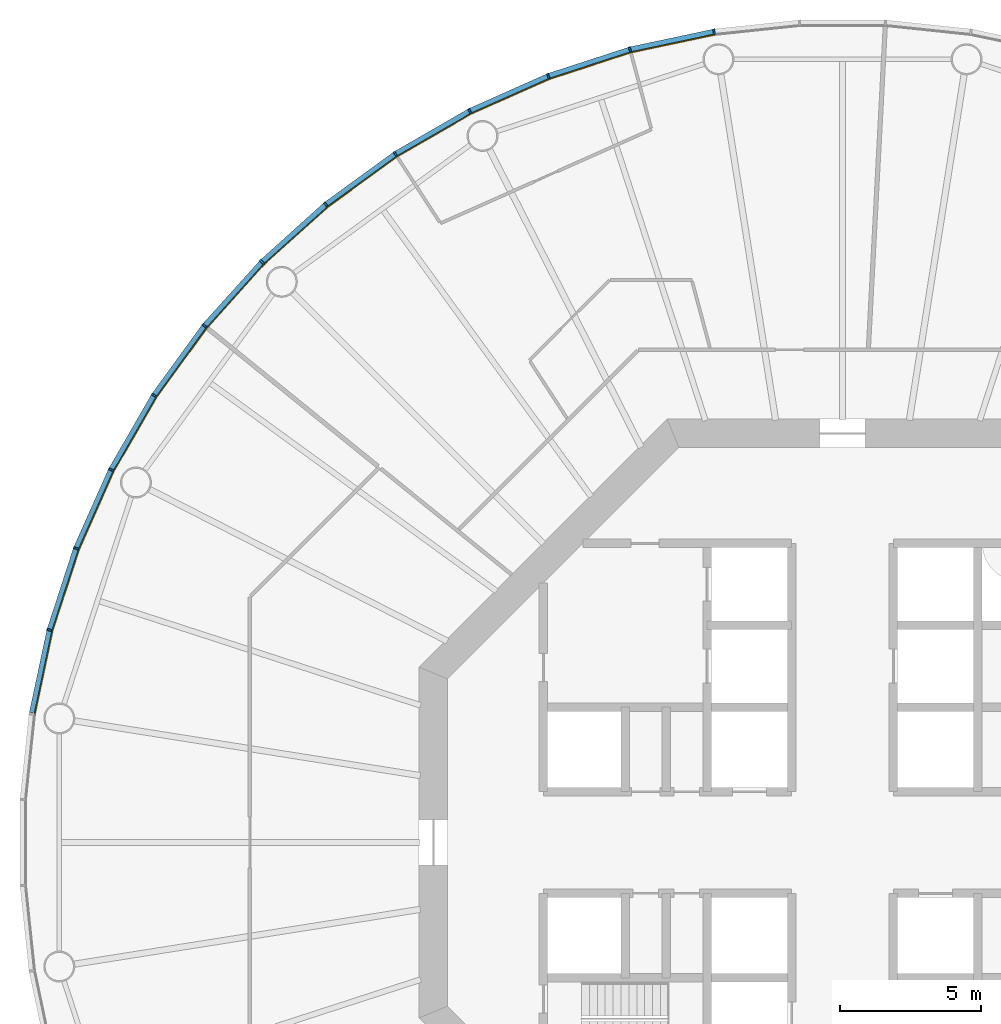
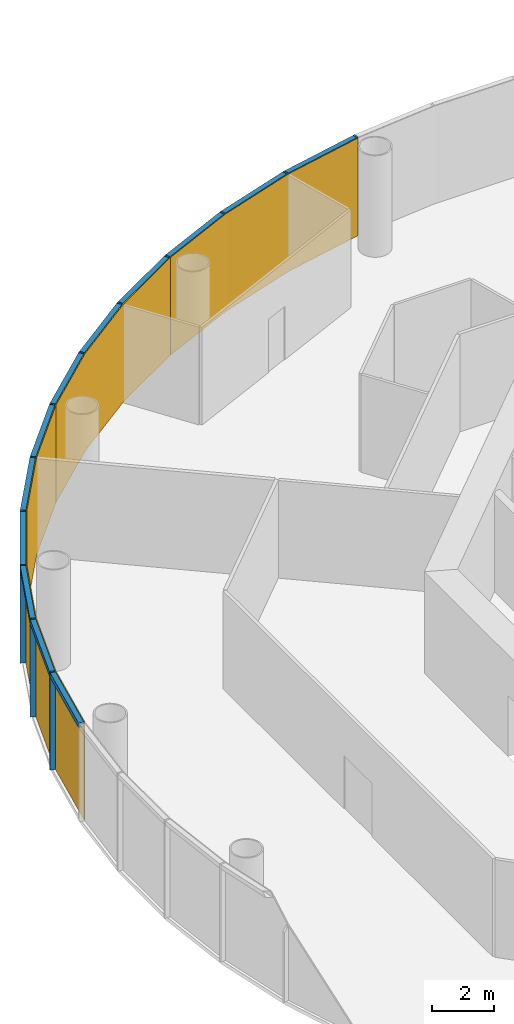
# One storey, part 10 of 13: 24 members, 4 curtain walls.
"""IFC4 building model written with IfcOpenShell, lengths in metres."""

from ifc_helpers import new_model, si_unit, direction, frame, origin, origin_2d, place, context, subcontext, project, spatial, polyline, rectangle, outline, extrude, material, layer, layer_set, material_profile, profile_set, type_object, element, aggregate, save


model = new_model("IFC4")

# Units and contexts
model_context = context("Model", 3, precision=1e-05, world=origin(), true_north=direction((0.0, 1.0)))
body_context = subcontext(model_context, "Body", "Model", "MODEL_VIEW")
ifc_project = project(units=[si_unit("LENGTHUNIT", "METRE"), si_unit("AREAUNIT", "SQUARE_METRE"), si_unit("VOLUMEUNIT", "CUBIC_METRE"), si_unit("PLANEANGLEUNIT", "RADIAN"), si_unit("MASSUNIT", "GRAM", prefix="KILO")], contexts=[model_context])

# Member
ifc_material_1 = material(Name="Anodised aluminium", Category="aluminium")
ifc_material_profile_1 = material_profile(ifc_material_1, rectangle(XDim=0.06494140625, YDim=0.18505859375, at=origin_2d()), Name="Mullion 65 x 185 mm anodised aluminium")
ifc_profile_set_1 = profile_set([ifc_material_profile_1], Name="Anodised aluminium")
member_type_1 = type_object("IfcMemberType", Name="Mullion 65 x 185 mm anodised aluminium", PredefinedType="MULLION", material=ifc_profile_set_1)
site_placement = place(None, origin())
building_placement = place(site_placement, origin())
storey_placement = place(building_placement, frame((0.0, 0.0, 156.0)))
member_1_placement = place(storey_placement, frame((85.448974609375, 108.734375, 0.0), z_axis=(0.0, 0.0, 1.0), x_axis=(-0.987688340595, -0.15643446504, 0.0)))
member_1 = element("IfcMember", 1, at=member_1_placement, type_object=member_type_1, Name="MULLION L35-15", PredefinedType="MULLION", context=body_context, shape_type="SweptSolid", body=[
    extrude(rectangle(XDim=0.06494140625, YDim=0.18505859375, at=origin_2d()), origin(), (0.0, 0.0, 1.0), 3.85009765625),
])

member_2_placement = place(storey_placement, frame((82.47021484375, 108.101318359375, 0.0), z_axis=(0.0, 0.0, 1.0), x_axis=(-0.965925826289, -0.258819045103, 0.0)))
member_2 = element("IfcMember", 2, at=member_2_placement, type_object=member_type_1, Name="MULLION L35-16", PredefinedType="MULLION", context=body_context, shape_type="SweptSolid", body=[
    extrude(rectangle(XDim=0.06494140625, YDim=0.18505859375, at=origin_2d()), origin(), (0.0, 0.0, 1.0), 3.85009765625),
])

member_3_placement = place(storey_placement, frame((79.57421875, 107.16015625, 0.0), z_axis=(0.0, 0.0, 1.0), x_axis=(-0.933580426497, -0.358367949545, 0.0)))
member_3 = element("IfcMember", 3, at=member_3_placement, type_object=member_type_1, Name="MULLION L35-17", PredefinedType="MULLION", context=body_context, shape_type="SweptSolid", body=[
    extrude(rectangle(XDim=0.06494140625, YDim=0.18505859375, at=origin_2d()), origin(), (0.0, 0.0, 1.0), 3.85009765625),
])

member_4_placement = place(storey_placement, frame((76.792236328125, 105.921630859375, 0.0), z_axis=(0.0, 0.0, 1.0), x_axis=(-0.891006524188, -0.45399049974, 0.0)))
member_4 = element("IfcMember", 4, at=member_4_placement, type_object=member_type_1, Name="MULLION L35-18", PredefinedType="MULLION", context=body_context, shape_type="SweptSolid", body=[
    extrude(rectangle(XDim=0.06494140625, YDim=0.18505859375, at=origin_2d()), origin(), (0.0, 0.0, 1.0), 3.85009765625),
])

member_5_placement = place(storey_placement, frame((74.155029296875, 104.39892578125, 0.0), z_axis=(0.0, 0.0, 1.0), x_axis=(-0.838670567945, -0.544639035015, 0.0)))
member_5 = element("IfcMember", 5, at=member_5_placement, type_object=member_type_1, Name="MULLION L35-19", PredefinedType="MULLION", context=body_context, shape_type="SweptSolid", body=[
    extrude(rectangle(XDim=0.06494140625, YDim=0.18505859375, at=origin_2d()), origin(), (0.0, 0.0, 1.0), 3.85009765625),
])

member_6_placement = place(storey_placement, frame((71.69140625, 102.609130859375, 0.0), z_axis=(0.0, 0.0, 1.0), x_axis=(-0.777145961457, -0.62932039105, 0.0)))
member_6 = element("IfcMember", 6, at=member_6_placement, type_object=member_type_1, Name="MULLION L35-20", PredefinedType="MULLION", context=body_context, shape_type="SweptSolid", body=[
    extrude(rectangle(XDim=0.06494140625, YDim=0.18505859375, at=origin_2d()), origin(), (0.0, 0.0, 1.0), 3.85009765625),
])

member_7_placement = place(storey_placement, frame((69.428466796875, 100.571533203125, 0.0), z_axis=(0.0, 0.0, 1.0), x_axis=(-0.707106781187, -0.707106781187, 0.0)))
member_7 = element("IfcMember", 7, at=member_7_placement, type_object=member_type_1, Name="MULLION L35-21", PredefinedType="MULLION", context=body_context, shape_type="SweptSolid", body=[
    extrude(rectangle(XDim=0.06494140625, YDim=0.18505859375, at=origin_2d()), origin(), (0.0, 0.0, 1.0), 3.85009765625),
])

member_8_placement = place(storey_placement, frame((67.390869140625, 98.30859375, 0.0), z_axis=(0.0, 0.0, 1.0), x_axis=(-0.62932039105, -0.777145961457, 0.0)))
member_8 = element("IfcMember", 8, at=member_8_placement, type_object=member_type_1, Name="MULLION L35-22", PredefinedType="MULLION", context=body_context, shape_type="SweptSolid", body=[
    extrude(rectangle(XDim=0.06494140625, YDim=0.18505859375, at=origin_2d()), origin(), (0.0, 0.0, 1.0), 3.85009765625),
])

member_9_placement = place(storey_placement, frame((65.60107421875, 95.844970703125, 0.0), z_axis=(0.0, 0.0, 1.0), x_axis=(-0.544639035015, -0.838670567945, 0.0)))
member_9 = element("IfcMember", 9, at=member_9_placement, type_object=member_type_1, Name="MULLION L35-23", PredefinedType="MULLION", context=body_context, shape_type="SweptSolid", body=[
    extrude(rectangle(XDim=0.06494140625, YDim=0.18505859375, at=origin_2d()), origin(), (0.0, 0.0, 1.0), 3.85009765625),
])

member_10_placement = place(storey_placement, frame((64.078369140625, 93.207763671875, 0.0), z_axis=(0.0, 0.0, 1.0), x_axis=(-0.45399049974, -0.891006524188, 0.0)))
member_10 = element("IfcMember", 10, at=member_10_placement, type_object=member_type_1, Name="MULLION L35-24", PredefinedType="MULLION", context=body_context, shape_type="SweptSolid", body=[
    extrude(rectangle(XDim=0.06494140625, YDim=0.18505859375, at=origin_2d()), origin(), (0.0, 0.0, 1.0), 3.85009765625),
])

member_11_placement = place(storey_placement, frame((62.83984375, 90.42578125, 0.0), z_axis=(0.0, 0.0, 1.0), x_axis=(-0.358367949545, -0.933580426497, 0.0)))
member_11 = element("IfcMember", 11, at=member_11_placement, type_object=member_type_1, Name="MULLION L35-25", PredefinedType="MULLION", context=body_context, shape_type="SweptSolid", body=[
    extrude(rectangle(XDim=0.06494140625, YDim=0.18505859375, at=origin_2d()), origin(), (0.0, 0.0, 1.0), 3.85009765625),
])

member_12_placement = place(storey_placement, frame((61.898681640625, 87.52978515625, 0.0), z_axis=(0.0, 0.0, 1.0), x_axis=(-0.258819045103, -0.965925826289, 0.0)))
member_12 = element("IfcMember", 12, at=member_12_placement, type_object=member_type_1, Name="MULLION L35-26", PredefinedType="MULLION", context=body_context, shape_type="SweptSolid", body=[
    extrude(rectangle(XDim=0.06494140625, YDim=0.18505859375, at=origin_2d()), origin(), (0.0, 0.0, 1.0), 3.85009765625),
])

ifc_material_2 = material(Name="Anodised aluminium", Category="aluminium")
ifc_material_profile_2 = material_profile(ifc_material_2, rectangle(XDim=0.18505859375, YDim=0.175048828125, at=origin_2d()), Name="Transom 175 x 185 mm anodised aluminium")
ifc_profile_set_2 = profile_set([ifc_material_profile_2], Name="Anodised aluminium")
member_type_2 = type_object("IfcMemberType", Name="Transom 175 x 185 mm anodised aluminium", PredefinedType="USERDEFINED", material=ifc_profile_set_2)
member_13_placement = place(storey_placement, frame((85.412353515625, 108.7265625, 3.762451171875), z_axis=(-0.97815822425, -0.207861704825, 0.0), x_axis=(0.207861704825, -0.97815822425, 0.0)))
member_13 = element("IfcMember", 13, at=member_13_placement, type_object=member_type_2, Name="TRANSOM L35-15", ObjectType="TRANSOM", PredefinedType="USERDEFINED", context=body_context, shape_type="SweptSolid", body=[
    extrude(rectangle(XDim=0.18505859375, YDim=0.175048828125, at=origin_2d()), origin(), (0.0, 0.0, 1.0), 2.970458984375),
])

member_14_placement = place(storey_placement, frame((82.434814453125, 108.08984375, 3.762451171875), z_axis=(-0.951055809184, -0.30901917063, 0.0), x_axis=(0.30901917063, -0.951055809184, 0.0)))
member_14 = element("IfcMember", 14, at=member_14_placement, type_object=member_type_2, Name="TRANSOM L35-16", ObjectType="TRANSOM", PredefinedType="USERDEFINED", context=body_context, shape_type="SweptSolid", body=[
    extrude(rectangle(XDim=0.18505859375, YDim=0.175048828125, at=origin_2d()), origin(), (0.0, 0.0, 1.0), 2.970703125),
])

member_15_placement = place(storey_placement, frame((79.5400390625, 107.14501953125, 3.762451171875), z_axis=(-0.913567348806, -0.406687471156, 0.0), x_axis=(0.406687471156, -0.913567348806, 0.0)))
member_15 = element("IfcMember", 15, at=member_15_placement, type_object=member_type_2, Name="TRANSOM L35-17", ObjectType="TRANSOM", PredefinedType="USERDEFINED", context=body_context, shape_type="SweptSolid", body=[
    extrude(rectangle(XDim=0.18505859375, YDim=0.175048828125, at=origin_2d()), origin(), (0.0, 0.0, 1.0), 2.970458984375),
])

member_16_placement = place(storey_placement, frame((76.759765625, 105.903076171875, 3.762451171875), z_axis=(-0.866009025146, -0.500028367561, 0.0), x_axis=(0.500028367561, -0.866009025146, 0.0)))
member_16 = element("IfcMember", 16, at=member_16_placement, type_object=member_type_2, Name="TRANSOM L35-18", ObjectType="TRANSOM", PredefinedType="USERDEFINED", context=body_context, shape_type="SweptSolid", body=[
    extrude(rectangle(XDim=0.18505859375, YDim=0.175048828125, at=origin_2d()), origin(), (0.0, 0.0, 1.0), 2.970458984375),
])

member_17_placement = place(storey_placement, frame((74.124755859375, 104.377197265625, 3.762451171875), z_axis=(-0.808991906087, -0.587819781808, 0.0), x_axis=(0.587819781808, -0.808991906087, 0.0)))
member_17 = element("IfcMember", 17, at=member_17_placement, type_object=member_type_2, Name="TRANSOM L35-19", ObjectType="TRANSOM", PredefinedType="USERDEFINED", context=body_context, shape_type="SweptSolid", body=[
    extrude(rectangle(XDim=0.18505859375, YDim=0.175048828125, at=origin_2d()), origin(), (0.0, 0.0, 1.0), 2.970458984375),
])

member_18_placement = place(storey_placement, frame((71.66357421875, 102.584228515625, 3.762451171875), z_axis=(-0.743163354343, -0.669110027395, 0.0), x_axis=(0.669110027395, -0.743163354343, 0.0)))
member_18 = element("IfcMember", 18, at=member_18_placement, type_object=member_type_2, Name="TRANSOM L35-20", ObjectType="TRANSOM", PredefinedType="USERDEFINED", context=body_context, shape_type="SweptSolid", body=[
    extrude(rectangle(XDim=0.18505859375, YDim=0.175048828125, at=origin_2d()), origin(), (0.0, 0.0, 1.0), 2.970458984375),
])

member_19_placement = place(storey_placement, frame((69.4033203125, 100.5439453125, 3.762451171875), z_axis=(-0.669110027395, -0.743163354343, 0.0), x_axis=(0.743163354343, -0.669110027395, 0.0)))
member_19 = element("IfcMember", 19, at=member_19_placement, type_object=member_type_2, Name="TRANSOM L35-21", ObjectType="TRANSOM", PredefinedType="USERDEFINED", context=body_context, shape_type="SweptSolid", body=[
    extrude(rectangle(XDim=0.18505859375, YDim=0.175048828125, at=origin_2d()), origin(), (0.0, 0.0, 1.0), 2.970458984375),
])

member_20_placement = place(storey_placement, frame((67.368896484375, 98.2783203125, 3.762451171875), z_axis=(-0.587819781808, -0.808991906087, 0.0), x_axis=(0.808991906087, -0.587819781808, 0.0)))
member_20 = element("IfcMember", 20, at=member_20_placement, type_object=member_type_2, Name="TRANSOM L35-22", ObjectType="TRANSOM", PredefinedType="USERDEFINED", context=body_context, shape_type="SweptSolid", body=[
    extrude(rectangle(XDim=0.18505859375, YDim=0.175048828125, at=origin_2d()), origin(), (0.0, 0.0, 1.0), 2.970458984375),
])

member_21_placement = place(storey_placement, frame((65.582275390625, 95.812744140625, 3.762451171875), z_axis=(-0.500028367561, -0.866009025146, 0.0), x_axis=(0.866009025146, -0.500028367561, 0.0)))
member_21 = element("IfcMember", 21, at=member_21_placement, type_object=member_type_2, Name="TRANSOM L35-23", ObjectType="TRANSOM", PredefinedType="USERDEFINED", context=body_context, shape_type="SweptSolid", body=[
    extrude(rectangle(XDim=0.18505859375, YDim=0.175048828125, at=origin_2d()), origin(), (0.0, 0.0, 1.0), 2.970458984375),
])

member_22_placement = place(storey_placement, frame((64.06298828125, 93.173583984375, 3.762451171875), z_axis=(-0.406687471156, -0.913567348806, 0.0), x_axis=(0.913567348806, -0.406687471156, 0.0)))
member_22 = element("IfcMember", 22, at=member_22_placement, type_object=member_type_2, Name="TRANSOM L35-24", ObjectType="TRANSOM", PredefinedType="USERDEFINED", context=body_context, shape_type="SweptSolid", body=[
    extrude(rectangle(XDim=0.18505859375, YDim=0.175048828125, at=origin_2d()), origin(), (0.0, 0.0, 1.0), 2.970458984375),
])

member_23_placement = place(storey_placement, frame((62.828125, 90.390380859375, 3.762451171875), z_axis=(-0.30901917063, -0.951055809184, 0.0), x_axis=(0.951055809184, -0.30901917063, 0.0)))
member_23 = element("IfcMember", 23, at=member_23_placement, type_object=member_type_2, Name="TRANSOM L35-25", ObjectType="TRANSOM", PredefinedType="USERDEFINED", context=body_context, shape_type="SweptSolid", body=[
    extrude(rectangle(XDim=0.18505859375, YDim=0.175048828125, at=origin_2d()), origin(), (0.0, 0.0, 1.0), 2.970703125),
])

member_24_placement = place(storey_placement, frame((61.890869140625, 87.4931640625, 3.762451171875), z_axis=(-0.207861704825, -0.97815822425, 0.0), x_axis=(0.97815822425, -0.207861704825, 0.0)))
member_24 = element("IfcMember", 24, at=member_24_placement, type_object=member_type_2, Name="TRANSOM L35-26", ObjectType="TRANSOM", PredefinedType="USERDEFINED", context=body_context, shape_type="SweptSolid", body=[
    extrude(rectangle(XDim=0.18505859375, YDim=0.175048828125, at=origin_2d()), origin(), (0.0, 0.0, 1.0), 2.970458984375),
])

# Site, building, storey
site = spatial("IfcSite", under=ifc_project, at=site_placement, CompositionType="ELEMENT")
building = spatial("IfcBuilding", under=site, at=building_placement, Name="Entoto Ring Tower", CompositionType="ELEMENT")
storey = spatial("IfcBuildingStorey", under=building, at=storey_placement, Name="L35", CompositionType="ELEMENT", Elevation=156.0)

# Curtain wall
ifc_material_3 = material(Name="Clear low-iron glass", Category="glass")
ifc_layer = layer(ifc_material_3, 0.033935546875)
ifc_layer_set = layer_set([ifc_layer], Name="Clear low-iron glass")
curtain_wall_type = type_object("IfcCurtainWallType", Name="Curtain wall system CW3 glazing 34 mm", PredefinedType="NOTDEFINED", material=ifc_layer_set)
curtain_wall_1_placement = place(storey_placement, origin())
curtain_wall_1 = element("IfcCurtainWall", 25, at=curtain_wall_1_placement, inside=storey, type_object=curtain_wall_type, Name="CW3 L35-06", PredefinedType="NOTDEFINED", context=body_context, shape_type="SweptSolid", body=[
    extrude(outline(polyline([(85.46337890625, 108.64306640625), (82.494140625, 108.011962890625), (79.607421875, 107.07373046875), (76.834228515625, 105.839111328125), (76.849853515625, 105.808837890625), (79.61962890625, 107.0419921875), (82.503173828125, 107.97900390625), (85.46875, 108.609375), (85.46337890625, 108.64306640625)])), origin(), (0.0, 0.0, 1.0), 3.85009765625),
])

aggregate(curtain_wall_1, [member_1, member_2, member_3, member_13, member_14, member_15])

curtain_wall_2_placement = place(storey_placement, origin())
curtain_wall_2 = element("IfcCurtainWall", 26, at=curtain_wall_2_placement, inside=storey, type_object=curtain_wall_type, Name="CW3 L35-07", PredefinedType="NOTDEFINED", context=body_context, shape_type="SweptSolid", body=[
    extrude(outline(polyline([(76.834228515625, 105.839111328125), (74.20556640625, 104.321533203125), (71.749755859375, 102.537353515625), (69.493896484375, 100.506103515625), (69.51806640625, 100.48193359375), (71.771240234375, 102.5107421875), (74.22412109375, 104.29296875), (76.849853515625, 105.808837890625), (76.834228515625, 105.839111328125)])), origin(), (0.0, 0.0, 1.0), 3.85009765625),
])

aggregate(curtain_wall_2, [member_4, member_5, member_6, member_16, member_17, member_18])

curtain_wall_3_placement = place(storey_placement, origin())
curtain_wall_3 = element("IfcCurtainWall", 27, at=curtain_wall_3_placement, inside=storey, type_object=curtain_wall_type, Name="CW3 L35-08", PredefinedType="NOTDEFINED", context=body_context, shape_type="SweptSolid", body=[
    extrude(outline(polyline([(69.493896484375, 100.506103515625), (67.462646484375, 98.250244140625), (65.678466796875, 95.79443359375), (64.160888671875, 93.165771484375), (64.191162109375, 93.150146484375), (65.70703125, 95.77587890625), (67.4892578125, 98.228759765625), (69.51806640625, 100.48193359375), (69.493896484375, 100.506103515625)])), origin(), (0.0, 0.0, 1.0), 3.85009765625),
])

aggregate(curtain_wall_3, [member_7, member_8, member_9, member_19, member_20, member_21])

curtain_wall_4_placement = place(storey_placement, origin())
curtain_wall_4 = element("IfcCurtainWall", 28, at=curtain_wall_4_placement, inside=storey, type_object=curtain_wall_type, Name="CW3 L35-09", PredefinedType="NOTDEFINED", context=body_context, shape_type="SweptSolid", body=[
    extrude(outline(polyline([(64.160888671875, 93.165771484375), (62.92626953125, 90.392578125), (61.988037109375, 87.505859375), (61.35693359375, 84.53662109375), (61.390625, 84.53125), (62.02099609375, 87.496826171875), (62.9580078125, 90.38037109375), (64.191162109375, 93.150146484375), (64.160888671875, 93.165771484375)])), origin(), (0.0, 0.0, 1.0), 3.85009765625),
])

aggregate(curtain_wall_4, [member_10, member_11, member_12, member_22, member_23, member_24])

save(model, "model.ifc")
